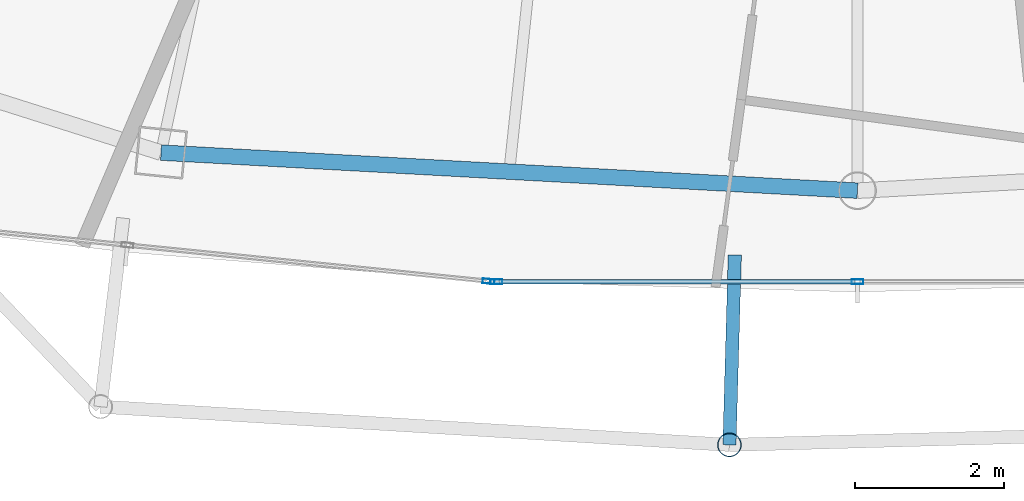
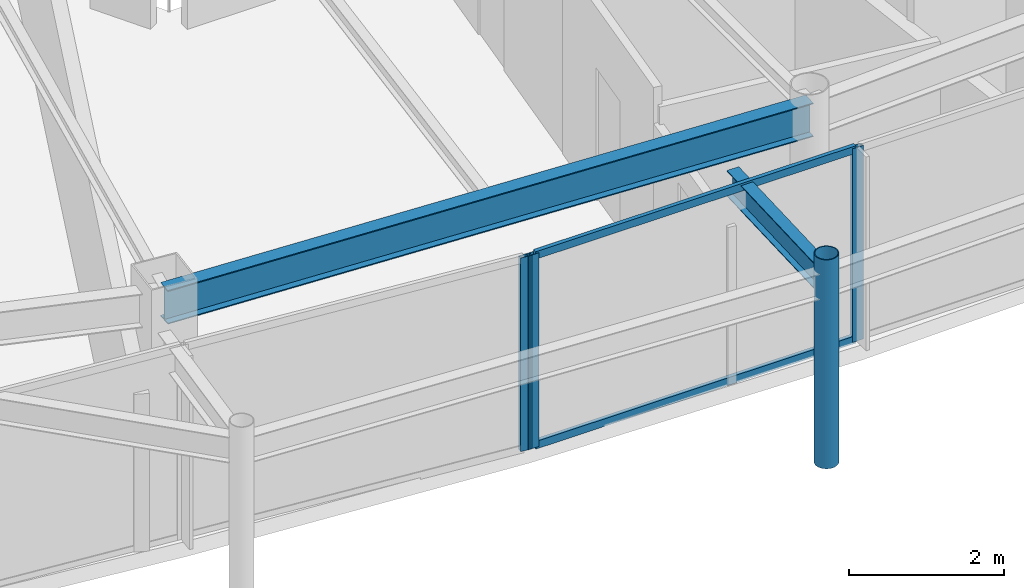
# One storey, part 7 of 28: 6 members, 2 beams, 2 elements without a shape of their own.
"""IFC4 building model written with IfcOpenShell, lengths in metres."""

from ifc_helpers import new_model, si_unit, direction, frame, origin, origin_2d, place, context, subcontext, project, spatial, hollow_rectangle, hollow_circle, i_section, extrude, material, layer, layer_set, material_profile, profile_set, type_object, element, aggregate, save


model = new_model("IFC4")

# Units and contexts
model_context = context("Model", 3, precision=1e-05, world=origin(), true_north=direction((0.0, 1.0)))
body_context = subcontext(model_context, "Body", "Model", "MODEL_VIEW")
ifc_project = project(units=[si_unit("LENGTHUNIT", "METRE"), si_unit("AREAUNIT", "SQUARE_METRE"), si_unit("VOLUMEUNIT", "CUBIC_METRE"), si_unit("PLANEANGLEUNIT", "RADIAN"), si_unit("MASSUNIT", "GRAM", prefix="KILO")], contexts=[model_context])

# Site, building, storey
site_placement = place(None, origin())
site = spatial("IfcSite", under=ifc_project, at=site_placement, CompositionType="ELEMENT")
building_placement = place(site_placement, origin())
building = spatial("IfcBuilding", under=site, at=building_placement, Name="Orvanel Arch Residences", CompositionType="ELEMENT")
storey_placement = place(building_placement, frame((0.0, 0.0, 260.14990234375)))
storey = spatial("IfcBuildingStorey", under=building, at=storey_placement, Name="L74", CompositionType="ELEMENT", Elevation=260.14990234375)

# Curtain wall, member
ifc_material_1 = material(Name="Bronze-anodised aluminium AA6063-T6", Category="aluminium")
ifc_layer = layer(ifc_material_1, 0.175048828125)
ifc_layer_set = layer_set([ifc_layer], Name="Bronze-anodised aluminium AA6063-T6")
curtain_wall_type = type_object("IfcCurtainWallType", Name="CW4-HI-SYS", PredefinedType="NOTDEFINED", material=ifc_layer_set)
curtain_wall_1_placement = place(storey_placement, origin())
curtain_wall_1 = element("IfcCurtainWall", 1, at=curtain_wall_1_placement, inside=storey, type_object=curtain_wall_type, Name="L74 CW4-HI-SYS Unitised Curtain Wall", PredefinedType="NOTDEFINED")
ifc_material_profile_1 = material_profile(ifc_material_1, hollow_rectangle(XDim=0.06494140625, YDim=0.159912109375, WallThickness=0.00390625, at=origin_2d()), Name="ALU160x65x4")
ifc_profile_set_1 = profile_set([ifc_material_profile_1], Name="Bronze-anodised aluminium AA6063-T6")
member_type_1 = type_object("IfcMemberType", Name="MUL-160x65", PredefinedType="MULLION", material=ifc_profile_set_1)
member_1_placement = place(storey_placement, frame((28.046630859375, 5.627197265625, 0.0), z_axis=(0.0, 0.0, 1.0), x_axis=(0.099796405352, 0.995007878099, 0.0)))
member_1 = element("IfcMember", 2, at=member_1_placement, type_object=member_type_1, Name="CW-S4 mullion 3", PredefinedType="MULLION", context=body_context, shape_type="SweptSolid", body=[
    extrude(hollow_rectangle(XDim=0.06494140625, YDim=0.159912109375, WallThickness=0.00390625, at=origin_2d()), origin(), (0.0, 0.0, 1.0), 3.06005859375),
])
aggregate(curtain_wall_1, [member_1])

# Curtain wall, members
curtain_wall_2_placement = place(storey_placement, origin())
curtain_wall_2 = element("IfcCurtainWall", 3, at=curtain_wall_2_placement, inside=storey, type_object=curtain_wall_type, Name="L74 CW4-HI-SYS Unitised Curtain Wall", PredefinedType="NOTDEFINED")
member_2_placement = place(storey_placement, frame((28.151611328125, 5.6220703125, 0.0), z_axis=(0.0, 0.0, 1.0), x_axis=(0.0, 1.0, 0.0)))
member_2 = element("IfcMember", 4, at=member_2_placement, type_object=member_type_1, Name="CW-S4 mullion 1", PredefinedType="MULLION", context=body_context, shape_type="SweptSolid", body=[
    extrude(hollow_rectangle(XDim=0.06494140625, YDim=0.159912109375, WallThickness=0.00390625, at=origin_2d()), origin(), (0.0, 0.0, 1.0), 3.06005859375),
])
member_3_placement = place(storey_placement, frame((33.0, 5.6220703125, 0.0), z_axis=(0.0, 0.0, 1.0), x_axis=(0.0, 1.0, 0.0)))
member_3 = element("IfcMember", 5, at=member_3_placement, type_object=member_type_1, Name="CW-S4 mullion 2", PredefinedType="MULLION", context=body_context, shape_type="SweptSolid", body=[
    extrude(hollow_rectangle(XDim=0.06494140625, YDim=0.159912109375, WallThickness=0.00390625, at=origin_2d()), origin(), (0.0, 0.0, 1.0), 3.06005859375),
])

# Beams
ifc_material_2 = material(Name="Structural steel AS/NZS 3679.1 Grade 300 (300 MPa)", Category="steel")
ifc_material_profile_2 = material_profile(ifc_material_2, i_section(OverallWidth=0.177978515625, OverallDepth=0.406005859375, WebThickness=0.0078125, FlangeThickness=0.0126953125, at=origin_2d()), Name="410UB59.7")
ifc_profile_set_2 = profile_set([ifc_material_profile_2], Name="Structural steel AS/NZS 3679.1 Grade 300 (300 MPa)")
beam_type_1 = type_object("IfcBeamType", Name="OB-410UB-EXT", PredefinedType="SPANDREL", material=ifc_profile_set_2)
beam_1_placement = place(storey_placement, frame((31.35302734375, 5.97998046875, 2.857177734375), z_axis=(-0.028242727986, -0.999601094595, 0.0), x_axis=(0.999601094595, -0.028242727986, 0.0)))
element("IfcBeam", 6, at=beam_1_placement, inside=storey, type_object=beam_type_1, Name="L74 Outer Frame Radial Tie Beam 06", PredefinedType="SPANDREL", context=body_context, shape_type="SweptSolid", body=[
    extrude(i_section(OverallWidth=0.177978515625, OverallDepth=0.406005859375, WebThickness=0.0078125, FlangeThickness=0.0126953125, at=origin_2d()), origin(), (0.0, 0.0, 1.0), 2.550048828125),
])
ifc_material_profile_3 = material_profile(ifc_material_2, i_section(OverallWidth=0.208984375, OverallDepth=0.532958984375, WebThickness=0.01025390625, FlangeThickness=0.015625, at=origin_2d()), Name="530UB92.4")
ifc_profile_set_3 = profile_set([ifc_material_profile_3], Name="Structural steel AS/NZS 3679.1 Grade 300 (300 MPa)")
beam_type_2 = type_object("IfcBeamType", Name="SP-530UB", PredefinedType="SPANDREL", material=ifc_profile_set_3)
beam_2_placement = place(storey_placement, frame((23.64892578125, 7.35498046875, 2.793212890625), z_axis=(0.998510315598, -0.054563262768, 0.0), x_axis=(0.054563262768, 0.998510315598, 0.0)))
element("IfcBeam", 7, at=beam_2_placement, inside=storey, type_object=beam_type_2, Name="L74 Perimeter Spandrel Beam 03", PredefinedType="SPANDREL", context=body_context, shape_type="SweptSolid", body=[
    extrude(i_section(OverallWidth=0.208984375, OverallDepth=0.532958984375, WebThickness=0.01025390625, FlangeThickness=0.015625, at=origin_2d()), origin(), (0.0, 0.0, 1.0), 9.364990234375),
])

# Member
ifc_material_3 = material(Name="Structural steel AS/NZS 1163 C350L0 (Grade 350)", Category="steel")
ifc_material_profile_4 = material_profile(ifc_material_3, hollow_circle(Radius=0.162109375, WallThickness=0.0126953125, at=origin_2d()), Name="CHS324x12.7")
ifc_profile_set_4 = profile_set([ifc_material_profile_4], Name="Structural steel AS/NZS 1163 C350L0 (Grade 350)")
member_type_2 = type_object("IfcMemberType", Name="ST-324CHS-EXT", PredefinedType="STRUT", material=ifc_profile_set_4)
member_4_placement = place(storey_placement, frame((31.281005859375, 3.430908203125, 0.0), z_axis=(0.0, 0.0, 1.0), x_axis=(1.0, 0.0, 0.0)))
element("IfcMember", 8, at=member_4_placement, inside=storey, type_object=member_type_2, Name="L74 Outer Perimeter Frame Post 06", PredefinedType="STRUT", context=body_context, shape_type="SweptSolid", body=[
    extrude(hollow_circle(Radius=0.162109375, WallThickness=0.0126953125, at=origin_2d()), origin(), (0.0, 0.0, 1.0), 3.300048828125),
])

ifc_material_profile_5 = material_profile(ifc_material_1, hollow_rectangle(XDim=0.06005859375, YDim=0.1201171875, WallThickness=0.00341796875, at=origin_2d()), Name="ALU120x60x3.5")
ifc_profile_set_5 = profile_set([ifc_material_profile_5], Name="Bronze-anodised aluminium AA6063-T6")
member_type_3 = type_object("IfcMemberType", Name="TRN-120x60", PredefinedType="USERDEFINED", material=ifc_profile_set_5)
member_5_placement = place(storey_placement, frame((28.18408203125, 5.6220703125, 0.030029296875), z_axis=(1.0, 0.0, 0.0), x_axis=(0.0, 1.0, 0.0)))
member_5 = element("IfcMember", 9, at=member_5_placement, type_object=member_type_3, Name="CW-S4 transom 1.1", ObjectType="TRANSOM", PredefinedType="USERDEFINED", context=body_context, shape_type="SweptSolid", body=[
    extrude(hollow_rectangle(XDim=0.06005859375, YDim=0.1201171875, WallThickness=0.00341796875, at=origin_2d()), origin(), (0.0, 0.0, 1.0), 4.783447265625),
])

member_6_placement = place(storey_placement, frame((28.18408203125, 5.6220703125, 3.030029296875), z_axis=(1.0, 0.0, 0.0), x_axis=(0.0, 1.0, 0.0)))
member_6 = element("IfcMember", 10, at=member_6_placement, type_object=member_type_3, Name="CW-S4 transom 1.2", ObjectType="TRANSOM", PredefinedType="USERDEFINED", context=body_context, shape_type="SweptSolid", body=[
    extrude(hollow_rectangle(XDim=0.06005859375, YDim=0.1201171875, WallThickness=0.00341796875, at=origin_2d()), origin(), (0.0, 0.0, 1.0), 4.783447265625),
])

aggregate(curtain_wall_2, [member_2, member_3, member_5, member_6])

save(model, "model.ifc")
